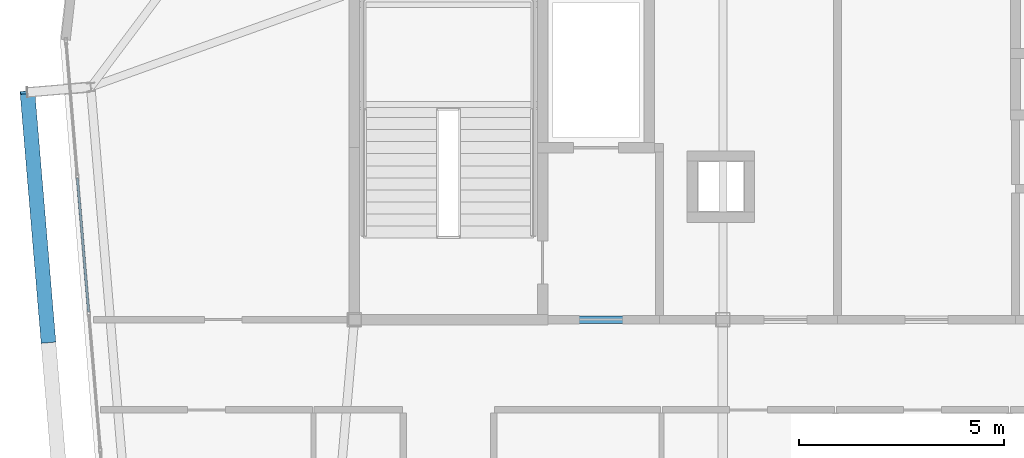
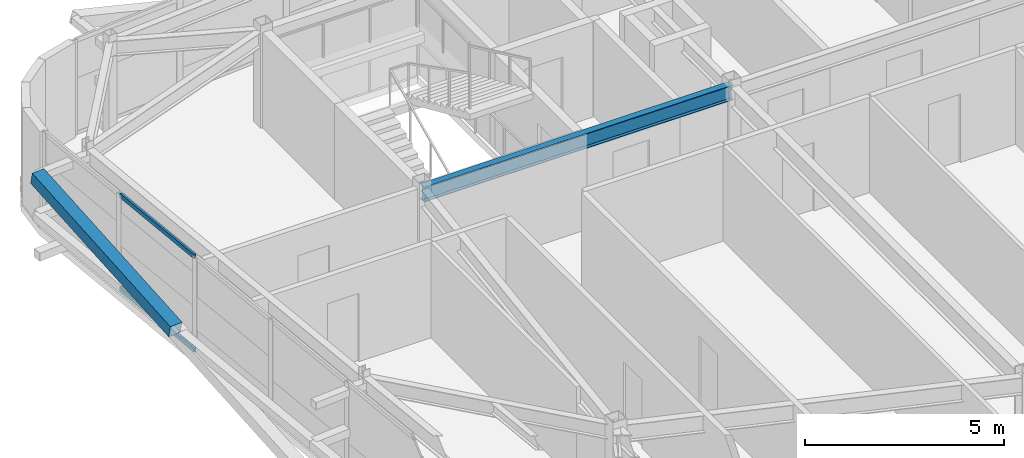
# One storey, part 16 of 46: 3 members, 1 beam, 1 element without a shape of its own.
"""IFC4 building model written with IfcOpenShell, lengths in metres."""

from ifc_helpers import new_model, si_unit, direction, frame, origin, origin_2d, place, context, subcontext, project, spatial, hollow_rectangle, i_section, extrude, source, transform, mapped, material, layer, layer_set, material_profile, profile_set, type_object, element, aggregate, save


model = new_model("IFC4")

# Units and contexts
model_context = context("Model", 3, precision=1e-05, world=origin(), true_north=direction((0.0, 1.0)))
body_context = subcontext(model_context, "Body", "Model", "MODEL_VIEW")
ifc_project = project(units=[si_unit("LENGTHUNIT", "METRE"), si_unit("AREAUNIT", "SQUARE_METRE"), si_unit("VOLUMEUNIT", "CUBIC_METRE"), si_unit("PLANEANGLEUNIT", "RADIAN"), si_unit("MASSUNIT", "GRAM", prefix="KILO")], contexts=[model_context])

# Site, building, storey
site_placement = place(None, origin())
site = spatial("IfcSite", under=ifc_project, at=site_placement, CompositionType="ELEMENT")
building_placement = place(site_placement, origin())
building = spatial("IfcBuilding", under=site, at=building_placement, Name="Taldren Reach Tower", CompositionType="ELEMENT")
storey_placement = place(building_placement, frame((0.0, 0.0, 194.60009765625)))
storey = spatial("IfcBuildingStorey", under=building, at=storey_placement, Name="L59", CompositionType="ELEMENT", Elevation=194.60009765625)

# Beam
ifc_material_1 = material(Name="Steel Gr 350 (350PLUS)", Category="steel")
ifc_material_profile_1 = material_profile(ifc_material_1, i_section(OverallWidth=0.19091796875, OverallDepth=0.4599609375, WebThickness=0.010009765625, FlangeThickness=0.01611328125, at=origin_2d()), Name="460UB82.1")
ifc_profile_set_1 = profile_set([ifc_material_profile_1], Name="Steel Gr 350 (350PLUS)")
beam_type = type_object("IfcBeamType", Name="BM-UB460A", PredefinedType="BEAM", material=ifc_profile_set_1)
shared_shape_1 = source(origin(), body_context, "Body", "SweptSolid", [
    extrude(i_section(OverallWidth=0.19091796875, OverallDepth=0.4599609375, WebThickness=0.010009765625, FlangeThickness=0.01611328125, at=origin_2d()), origin(), (0.0, 0.0, 1.0), 9.0),
])
beam_placement = place(storey_placement, frame((19.0, 24.0, 2.699951171875), z_axis=(1.0, 0.0, 0.0), x_axis=(0.0, 1.0, 0.0)))
element("IfcBeam", 1, at=beam_placement, inside=storey, type_object=beam_type, Name="Core-spine girder L59-SP01", PredefinedType="BEAM", context=body_context, shape_type="MappedRepresentation", body=[
    mapped(shared_shape_1, transform((0.0, 0.0, 0.0), scale=1.0)),
])

# Member
ifc_material_2 = material(Name="Steel Gr 450 (C450L0)", Category="steel")
ifc_material_profile_2 = material_profile(ifc_material_2, hollow_rectangle(XDim=0.360107421875, YDim=0.360107421875, WallThickness=0.0126953125, at=origin_2d()), Name="360x360x12.7SHS")
ifc_profile_set_2 = profile_set([ifc_material_profile_2], Name="Steel Gr 450 (C450L0)")
member_type_1 = type_object("IfcMemberType", Name="MB-EXO356", PredefinedType="BRACE", material=ifc_profile_set_2)
shared_shape_2 = source(origin(), body_context, "Body", "SweptSolid", [
    extrude(hollow_rectangle(XDim=0.360107421875, YDim=0.360107421875, WallThickness=0.0126953125, at=origin_2d()), origin(), (0.0, 0.0, 1.0), 6.219970703125),
])
member_1_placement = place(storey_placement, frame((11.52783203125, 23.47412109375, 1.434814453125), z_axis=(-0.082075564879, 0.977291924611, 0.195356330179), x_axis=(-0.996492003099, -0.083688038336, 0.0)))
element("IfcMember", 2, at=member_1_placement, inside=storey, type_object=member_type_1, Name="Exoskeleton Diagrid Brace B4-W2 L59", PredefinedType="BRACE", context=body_context, shape_type="MappedRepresentation", body=[
    mapped(shared_shape_2, transform((0.0, 0.0, 0.0), scale=1.0)),
])

# Curtain wall, members
ifc_material_3 = material(Name="Aluminium and Low-E Glass Unitised System", Category="aluminium")
ifc_layer = layer(ifc_material_3, 0.159912109375)
ifc_layer_set = layer_set([ifc_layer], Name="Aluminium and Low-E Glass Unitised System")
curtain_wall_type = type_object("IfcCurtainWallType", Name="CW-SYS-5", PredefinedType="NOTDEFINED", material=ifc_layer_set)
curtain_wall_placement = place(storey_placement, origin())
curtain_wall = element("IfcCurtainWall", 3, at=curtain_wall_placement, inside=storey, type_object=curtain_wall_type, Name="Unitised curtain wall CW-L59-W", PredefinedType="NOTDEFINED")
ifc_material_4 = material(Name="Anodised Aluminium 6063-T6", Category="aluminium")
ifc_material_profile_3 = material_profile(ifc_material_4, hollow_rectangle(XDim=0.06005859375, YDim=0.135009765625, WallThickness=0.00341796875, at=origin_2d()), Name="ALU-135x60x3.5RHS")
ifc_profile_set_3 = profile_set([ifc_material_profile_3], Name="Anodised Aluminium 6063-T6")
member_type_2 = type_object("IfcMemberType", Name="CW-TRN-150", PredefinedType="USERDEFINED", material=ifc_profile_set_3)
shared_shape_3 = source(origin(), body_context, "Body", "SweptSolid", [
    extrude(hollow_rectangle(XDim=0.06005859375, YDim=0.135009765625, WallThickness=0.00341796875, at=origin_2d()), origin(), (0.0, 0.0, 1.0), 3.280029296875),
])
member_2_placement = place(storey_placement, frame((12.236572265625, 27.46240234375, 0.02978515625), z_axis=(0.083661452101, -0.996494235524, 0.0), x_axis=(0.996494235524, 0.083661452101, 0.0)))
member_2 = element("IfcMember", 4, at=member_2_placement, type_object=member_type_2, Name="CW-5 transom 2.1", ObjectType="TRANSOM", PredefinedType="USERDEFINED", context=body_context, shape_type="MappedRepresentation", body=[
    mapped(shared_shape_3, transform((0.0, 0.0, 0.0), scale=1.0)),
])
member_3_placement = place(storey_placement, frame((12.236572265625, 27.46240234375, 2.89990234375), z_axis=(0.083661452101, -0.996494235524, 0.0), x_axis=(0.996494235524, 0.083661452101, 0.0)))
member_3 = element("IfcMember", 5, at=member_3_placement, type_object=member_type_2, Name="CW-5 transom 2.2", ObjectType="TRANSOM", PredefinedType="USERDEFINED", context=body_context, shape_type="MappedRepresentation", body=[
    mapped(shared_shape_3, transform((0.0, 0.0, 0.0), scale=1.0)),
])
aggregate(curtain_wall, [member_2, member_3])

save(model, "model.ifc")
